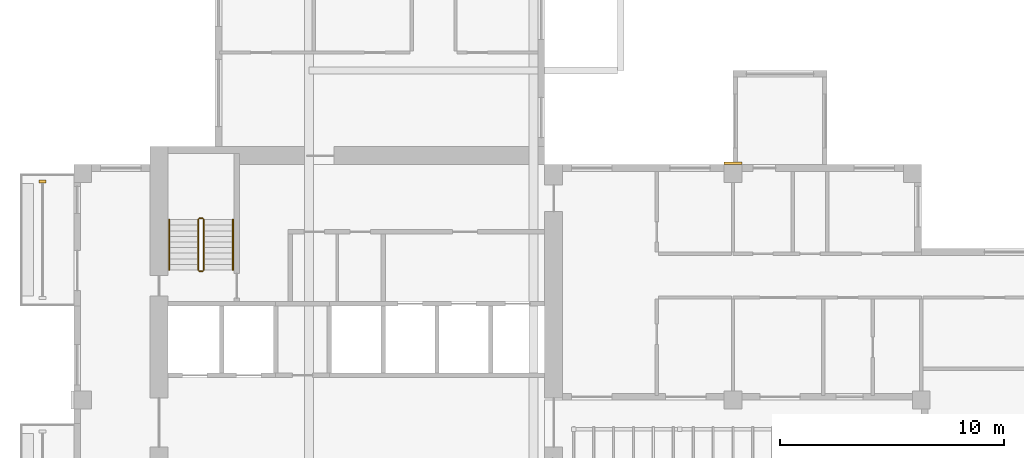
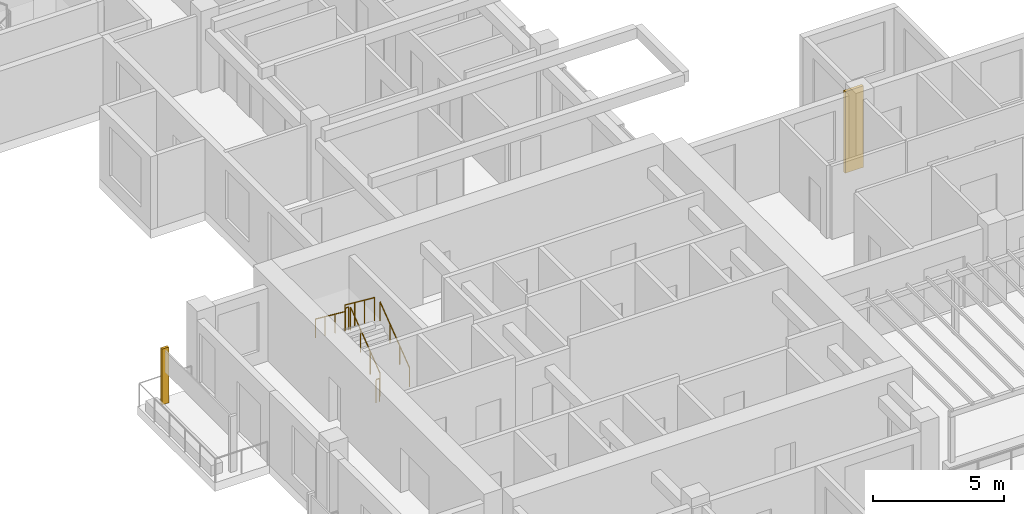
# One storey, part 11 of 13: 6 railings, 2 coverings.
"""IFC4 building model written with IfcOpenShell, lengths in metres."""

from ifc_helpers import new_model, si_unit, direction, frame, origin, origin_2d, place, context, subcontext, project, spatial, rectangle, circle, extrude, source, transform, mapped, material, type_object, element, save


model = new_model("IFC4")

# Units and contexts
model_context = context("Model", 3, precision=1e-05, world=origin(), true_north=direction((0.0, 1.0)))
body_context = subcontext(model_context, "Body", "Model", "MODEL_VIEW")
ifc_project = project(units=[si_unit("LENGTHUNIT", "METRE"), si_unit("AREAUNIT", "SQUARE_METRE"), si_unit("VOLUMEUNIT", "CUBIC_METRE"), si_unit("PLANEANGLEUNIT", "RADIAN"), si_unit("MASSUNIT", "GRAM", prefix="KILO")], contexts=[model_context])

# Site, building, storey
site_placement = place(None, origin())
site = spatial("IfcSite", under=ifc_project, at=site_placement, CompositionType="ELEMENT")
building_placement = place(site_placement, origin())
building = spatial("IfcBuilding", under=site, at=building_placement, Name="Aurelian Terraces", CompositionType="ELEMENT")
storey_placement = place(building_placement, frame((0.0, 0.0, 253.8)))
storey = spatial("IfcBuildingStorey", under=building, at=storey_placement, Name="L58", CompositionType="ELEMENT", Elevation=253.8)

# Coverings
ifc_material_1 = material(Name="Terracotta rainscreen cladding relief", Category="masonry")
covering_type_1 = type_object("IfcCoveringType", Name="FIN-TC", PredefinedType="CLADDING", material=ifc_material_1)
shared_shape_1 = source(origin(), body_context, "Body", "SweptSolid", [
    extrude(rectangle(XDim=0.3, YDim=0.12, at=origin_2d()), origin(), (0.0, 0.0, 1.0), 2.6),
])
covering_1_placement = place(storey_placement, frame((-1.4, 20.25, 0.0), z_axis=(0.0, 0.0, 1.0), x_axis=(1.0, 0.0, 0.0)))
element("IfcCovering", 1, at=covering_1_placement, inside=storey, type_object=covering_type_1, Name="FIN L58 L58-F24-38.1", PredefinedType="CLADDING", context=body_context, shape_type="MappedRepresentation", body=[
    mapped(shared_shape_1, transform((0.0, 0.0, 0.0), scale=1.0)),
])
covering_type_2 = type_object("IfcCoveringType", Name="BAGUETTE-TC", PredefinedType="CLADDING", material=ifc_material_1)
shared_shape_2 = source(origin(), body_context, "Body", "SweptSolid", [
    extrude(rectangle(XDim=0.8, YDim=0.12, at=origin_2d()), origin(), (0.0, 0.0, 1.0), 3.8),
])
covering_2_placement = place(storey_placement, frame((29.4, 21.06, -0.4), z_axis=(0.0, 0.0, 1.0), x_axis=(1.0, 0.0, 0.0)))
element("IfcCovering", 2, at=covering_2_placement, inside=storey, type_object=covering_type_2, Name="BAGUETTE pier L58 4", PredefinedType="CLADDING", context=body_context, shape_type="MappedRepresentation", body=[
    mapped(shared_shape_2, transform((0.0, 0.0, 0.0), scale=1.0)),
])

# Railings
ifc_material_2 = material(Name="Stainless steel", Category="steel")
railing_type_1 = type_object("IfcRailingType", Name="Stair guard 1100", PredefinedType="GUARDRAIL", material=ifc_material_2)
shared_shape_3 = source(origin(), body_context, "Body", "SweptSolid", [
    extrude(circle(Radius=0.024, at=origin_2d()), frame((0.0, 0.0, 1.076), z_axis=(-1.0, 0.0, 0.0), x_axis=(0.0, -1.0, 0.0)), (0.0, 0.0, 1.0), 0.15),
    extrude(circle(Radius=0.021, at=origin_2d()), origin(), (0.0, 0.0, 1.0), 1.052),
    extrude(circle(Radius=0.021, at=origin_2d()), frame((-0.15, 0.0, 0.0)), (0.0, 0.0, 1.0), 1.052),
])
for number, where, name in (
    (3, (5.75, 18.6, 1.9), "L58 S1 stair guard 2"),
    (4, (5.75, 16.25, 0.0), "L58 S1 stair guard 4"),
):
    element("IfcRailing", number, at=place(storey_placement, frame(where)), inside=storey, type_object=railing_type_1, Name=name, PredefinedType="GUARDRAIL", context=body_context, shape_type="MappedRepresentation", body=[
        mapped(shared_shape_3, transform((0.0, 0.0, 0.0), scale=1.0)),
    ])
shared_shape_4 = source(origin(), body_context, "Body", "SweptSolid", [
    extrude(circle(Radius=0.024, at=origin_2d()), frame((0.0, 0.0, 1.076), z_axis=(0.0, 0.796162194123, 0.605083267534), x_axis=(-1.0, 0.0, 0.0)), (0.0, 0.0, 1.0), 2.8261),
    extrude(circle(Radius=0.021, at=origin_2d()), origin(), (0.0, 0.0, 1.0), 1.052),
    extrude(circle(Radius=0.021, at=origin_2d()), frame((0.0, 0.75, 0.57)), (0.0, 0.0, 1.0), 1.052),
    extrude(circle(Radius=0.021, at=origin_2d()), frame((0.0, 1.5, 1.14)), (0.0, 0.0, 1.0), 1.052),
    extrude(circle(Radius=0.021, at=origin_2d()), frame((0.0, 2.25, 1.71)), (0.0, 0.0, 1.0), 1.052),
])
railing_1_placement = place(storey_placement, frame((5.8, 16.3, 0.19)))
element("IfcRailing", 5, at=railing_1_placement, inside=storey, type_object=railing_type_1, Name="L58 S1 stair guard 1", PredefinedType="GUARDRAIL", context=body_context, shape_type="MappedRepresentation", body=[
    mapped(shared_shape_4, transform((0.0, 0.0, 0.0), scale=1.0)),
])
shared_shape_5 = source(origin(), body_context, "Body", "SweptSolid", [
    extrude(circle(Radius=0.024, at=origin_2d()), frame((0.0, 0.0, 1.076), z_axis=(0.0, -0.796162194123, 0.605083267534), x_axis=(1.0, 0.0, 0.0)), (0.0, 0.0, 1.0), 2.8261),
    extrude(circle(Radius=0.021, at=origin_2d()), origin(), (0.0, 0.0, 1.0), 1.052),
    extrude(circle(Radius=0.021, at=origin_2d()), frame((0.0, -0.75, 0.57)), (0.0, 0.0, 1.0), 1.052),
    extrude(circle(Radius=0.021, at=origin_2d()), frame((0.0, -1.5, 1.14)), (0.0, 0.0, 1.0), 1.052),
    extrude(circle(Radius=0.021, at=origin_2d()), frame((0.0, -2.25, 1.71)), (0.0, 0.0, 1.0), 1.052),
])
railing_2_placement = place(storey_placement, frame((5.55, 18.55, 2.09)))
element("IfcRailing", 6, at=railing_2_placement, inside=storey, type_object=railing_type_1, Name="L58 S1 stair guard 3", PredefinedType="GUARDRAIL", context=body_context, shape_type="MappedRepresentation", body=[
    mapped(shared_shape_5, transform((0.0, 0.0, 0.0), scale=1.0)),
])
railing_type_2 = type_object("IfcRailingType", Name="Stair handrail", PredefinedType="HANDRAIL", material=ifc_material_2)
shared_shape_6 = source(origin(), body_context, "Body", "SweptSolid", [
    extrude(circle(Radius=0.024, at=origin_2d()), frame((0.0, 0.0, 0.876), z_axis=(0.0, 0.796162194123, 0.605083267534), x_axis=(-1.0, 0.0, 0.0)), (0.0, 0.0, 1.0), 2.8261),
    extrude(circle(Radius=0.021, at=origin_2d()), origin(), (0.0, 0.0, 1.0), 0.852),
    extrude(circle(Radius=0.021, at=origin_2d()), frame((0.0, 0.75, 0.57)), (0.0, 0.0, 1.0), 0.852),
    extrude(circle(Radius=0.021, at=origin_2d()), frame((0.0, 1.5, 1.14)), (0.0, 0.0, 1.0), 0.852),
    extrude(circle(Radius=0.021, at=origin_2d()), frame((0.0, 2.25, 1.71)), (0.0, 0.0, 1.0), 0.852),
])
railing_3_placement = place(storey_placement, frame((7.1, 16.3, 0.19)))
element("IfcRailing", 7, at=railing_3_placement, inside=storey, type_object=railing_type_2, Name="L58 S1 stair handrail 1", PredefinedType="HANDRAIL", context=body_context, shape_type="MappedRepresentation", body=[
    mapped(shared_shape_6, transform((0.0, 0.0, 0.0), scale=1.0)),
])
shared_shape_7 = source(origin(), body_context, "Body", "SweptSolid", [
    extrude(circle(Radius=0.024, at=origin_2d()), frame((0.0, 0.0, 0.876), z_axis=(0.0, -0.796162194123, 0.605083267534), x_axis=(1.0, 0.0, 0.0)), (0.0, 0.0, 1.0), 2.8261),
    extrude(circle(Radius=0.021, at=origin_2d()), origin(), (0.0, 0.0, 1.0), 0.852),
    extrude(circle(Radius=0.021, at=origin_2d()), frame((0.0, -0.75, 0.57)), (0.0, 0.0, 1.0), 0.852),
    extrude(circle(Radius=0.021, at=origin_2d()), frame((0.0, -1.5, 1.14)), (0.0, 0.0, 1.0), 0.852),
    extrude(circle(Radius=0.021, at=origin_2d()), frame((0.0, -2.25, 1.71)), (0.0, 0.0, 1.0), 0.852),
])
railing_4_placement = place(storey_placement, frame((4.25, 18.55, 2.09)))
element("IfcRailing", 8, at=railing_4_placement, inside=storey, type_object=railing_type_2, Name="L58 S1 stair handrail 2", PredefinedType="HANDRAIL", context=body_context, shape_type="MappedRepresentation", body=[
    mapped(shared_shape_7, transform((0.0, 0.0, 0.0), scale=1.0)),
])

save(model, "model.ifc")
